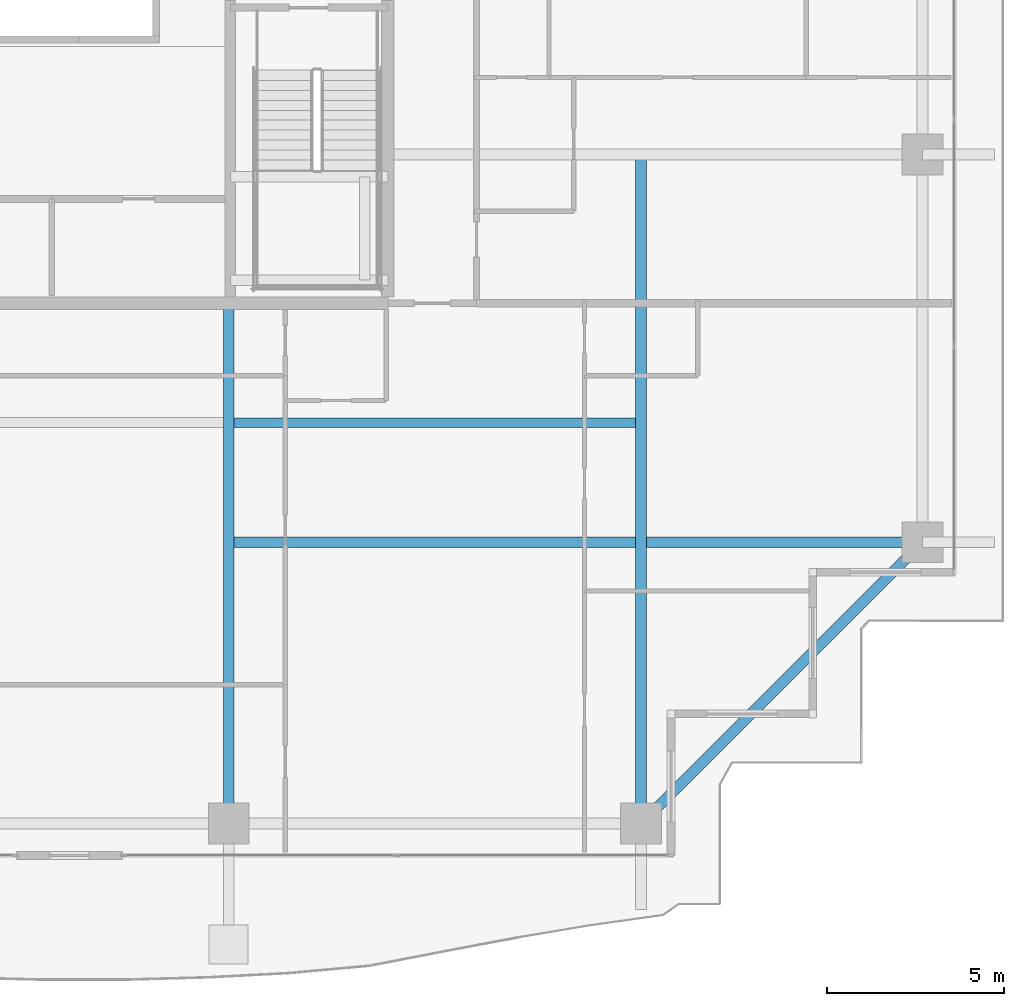
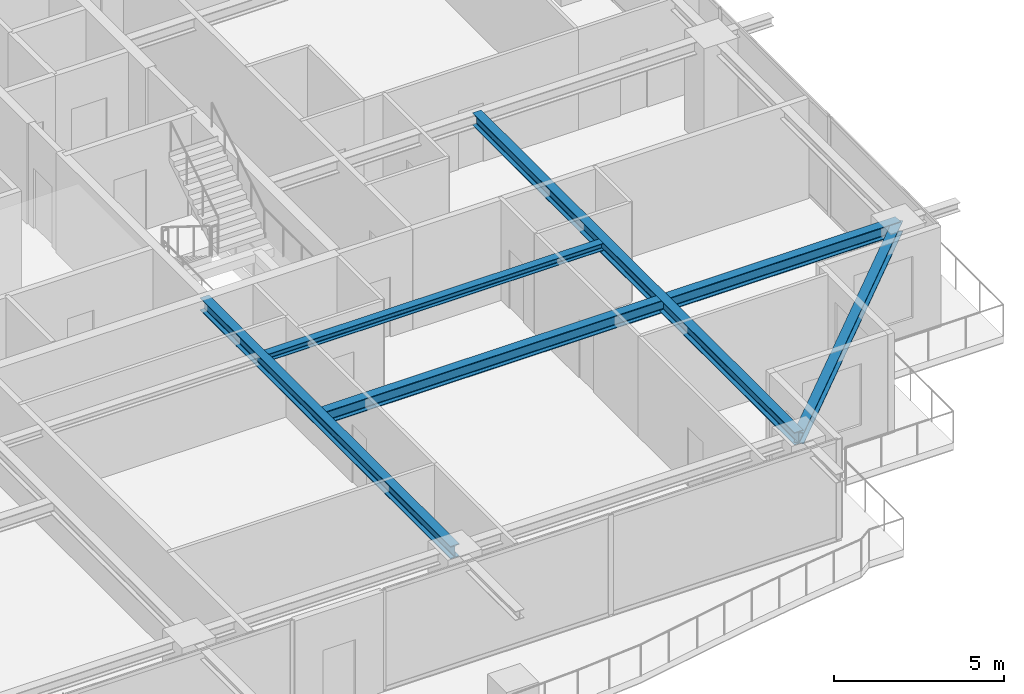
# One storey, part 12 of 35: 5 beams.
"""IFC4 building model written with IfcOpenShell, lengths in metres."""

from ifc_helpers import new_model, si_unit, direction, frame, origin, origin_2d, place, context, subcontext, project, spatial, i_section, extrude, source, transform, mapped, material, material_profile, profile_set, type_object, element, save


model = new_model("IFC4")

# Units and contexts
model_context = context("Model", 3, precision=1e-05, world=origin(), true_north=direction((0.0, 1.0)))
body_context = subcontext(model_context, "Body", "Model", "MODEL_VIEW")
ifc_project = project(units=[si_unit("LENGTHUNIT", "METRE"), si_unit("AREAUNIT", "SQUARE_METRE"), si_unit("VOLUMEUNIT", "CUBIC_METRE"), si_unit("PLANEANGLEUNIT", "RADIAN"), si_unit("MASSUNIT", "GRAM", prefix="KILO")], contexts=[model_context])

# Site, building, storey
site_placement = place(None, origin())
site = spatial("IfcSite", under=ifc_project, at=site_placement, CompositionType="ELEMENT")
building_placement = place(site_placement, origin())
building = spatial("IfcBuilding", under=site, at=building_placement, Name="Serunith Strait Residences", CompositionType="ELEMENT")
storey_placement = place(building_placement, frame((0.0, 0.0, 210.449951171875)))
storey = spatial("IfcBuildingStorey", under=building, at=storey_placement, Name="L52", CompositionType="ELEMENT", Elevation=210.449951171875)

# Beams
ifc_material = material(Name="Steel S355J2", Category="steel")
ifc_material_profile_1 = material_profile(ifc_material, i_section(OverallWidth=0.300048828125, OverallDepth=0.449951171875, WebThickness=0.013916015625, FlangeThickness=0.02587890625, FilletRadius=0.027099609375, at=origin_2d()), Name="HEB 450")
ifc_profile_set_1 = profile_set([ifc_material_profile_1], Name="Steel S355J2")
beam_type_1 = type_object("IfcBeamType", Name="BM-HEB450", PredefinedType="BEAM", material=ifc_profile_set_1)
shared_shape_1 = source(origin(), body_context, "Body", "SweptSolid", [
    extrude(i_section(OverallWidth=0.300048828125, OverallDepth=0.449951171875, WebThickness=0.013916015625, FlangeThickness=0.02587890625, FilletRadius=0.027099609375, at=origin_2d()), origin(), (0.0, 0.0, 1.0), 14.699951171875),
])
beam_1_placement = place(storey_placement, frame((36.89990234375, 16.800048828125, 3.362060546875), z_axis=(0.0, -1.0, 0.0), x_axis=(1.0, 0.0, 0.0)))
element("IfcBeam", 1, at=beam_1_placement, inside=storey, type_object=beam_type_1, Name="L52 Primary Floor Girder TC-S3", PredefinedType="BEAM", context=body_context, shape_type="MappedRepresentation", body=[
    mapped(shared_shape_1, transform((0.0, 0.0, 0.0), scale=1.0)),
])
shared_shape_2 = source(origin(), body_context, "Body", "SweptSolid", [
    extrude(i_section(OverallWidth=0.300048828125, OverallDepth=0.449951171875, WebThickness=0.013916015625, FlangeThickness=0.02587890625, FilletRadius=0.027099609375, at=origin_2d()), origin(), (0.0, 0.0, 1.0), 18.89990234375),
])
beam_2_placement = place(storey_placement, frame((48.550048828125, 21.0, 3.362060546875), z_axis=(0.0, -1.0, 0.0), x_axis=(1.0, 0.0, 0.0)))
element("IfcBeam", 2, at=beam_2_placement, inside=storey, type_object=beam_type_1, Name="L52 Orthogonal Corner Girder TC-S4", PredefinedType="BEAM", context=body_context, shape_type="MappedRepresentation", body=[
    mapped(shared_shape_2, transform((0.0, 0.0, 0.0), scale=1.0)),
])
shared_shape_3 = source(origin(), body_context, "Body", "SweptSolid", [
    extrude(i_section(OverallWidth=0.300048828125, OverallDepth=0.449951171875, WebThickness=0.013916015625, FlangeThickness=0.02587890625, FilletRadius=0.027099609375, at=origin_2d()), origin(), (0.0, 0.0, 1.0), 19.60009765625),
])
beam_3_placement = place(storey_placement, frame((36.89990234375, 10.050048828125, 3.362060546875), z_axis=(1.0, 0.0, 0.0), x_axis=(0.0, 1.0, 0.0)))
element("IfcBeam", 3, at=beam_3_placement, inside=storey, type_object=beam_type_1, Name="L52 Orthogonal Corner Girder TC-E1", PredefinedType="BEAM", context=body_context, shape_type="MappedRepresentation", body=[
    mapped(shared_shape_3, transform((0.0, 0.0, 0.0), scale=1.0)),
])
ifc_material_profile_2 = material_profile(ifc_material, i_section(OverallWidth=0.300048828125, OverallDepth=0.39990234375, WebThickness=0.013427734375, FlangeThickness=0.02392578125, FilletRadius=0.027099609375, at=origin_2d()), Name="HEB 400")
ifc_profile_set_2 = profile_set([ifc_material_profile_2], Name="Steel S355J2")
beam_type_2 = type_object("IfcBeamType", Name="BM-HEB400", PredefinedType="BEAM", material=ifc_profile_set_2)
shared_shape_4 = source(origin(), body_context, "Body", "SweptSolid", [
    extrude(i_section(OverallWidth=0.300048828125, OverallDepth=0.39990234375, WebThickness=0.013427734375, FlangeThickness=0.02392578125, FilletRadius=0.027099609375, at=origin_2d()), origin(), (0.0, 0.0, 1.0), 11.242919921875),
])
beam_4_placement = place(storey_placement, frame((48.550048828125, 2.10009765625, 3.35693359375), z_axis=(0.707106781187, 0.707106781187, 0.0), x_axis=(-0.707106781187, 0.707106781187, 0.0)))
element("IfcBeam", 4, at=beam_4_placement, inside=storey, type_object=beam_type_2, Name="L52 Perimeter Ring Beam 04", PredefinedType="BEAM", context=body_context, shape_type="MappedRepresentation", body=[
    mapped(shared_shape_4, transform((0.0, 0.0, 0.0), scale=1.0)),
])
ifc_material_profile_3 = material_profile(ifc_material, i_section(OverallWidth=0.260009765625, OverallDepth=0.260009765625, WebThickness=0.010009765625, FlangeThickness=0.017578125, FilletRadius=0.02392578125, at=origin_2d()), Name="HEB 260")
ifc_profile_set_3 = profile_set([ifc_material_profile_3], Name="Steel S355J2")
beam_type_3 = type_object("IfcBeamType", Name="BM-HEB260", PredefinedType="JOIST", material=ifc_profile_set_3)
shared_shape_5 = source(origin(), body_context, "Body", "SweptSolid", [
    extrude(i_section(OverallWidth=0.260009765625, OverallDepth=0.260009765625, WebThickness=0.010009765625, FlangeThickness=0.017578125, FilletRadius=0.02392578125, at=origin_2d()), origin(), (0.0, 0.0, 1.0), 11.349853515625),
])
beam_5_placement = place(storey_placement, frame((37.050048828125, 13.425048828125, 3.45703125), z_axis=(1.0, 0.0, 0.0), x_axis=(0.0, 1.0, 0.0)))
element("IfcBeam", 5, at=beam_5_placement, inside=storey, type_object=beam_type_3, Name="L52 Composite Floor Joist 03", PredefinedType="JOIST", context=body_context, shape_type="MappedRepresentation", body=[
    mapped(shared_shape_5, transform((0.0, 0.0, 0.0), scale=1.0)),
])

save(model, "model.ifc")
